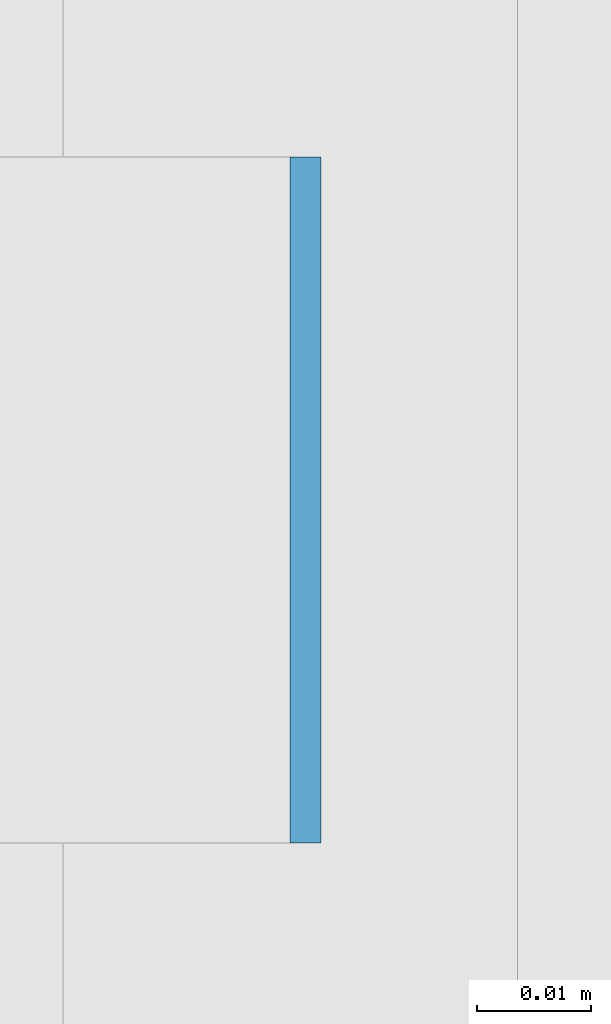
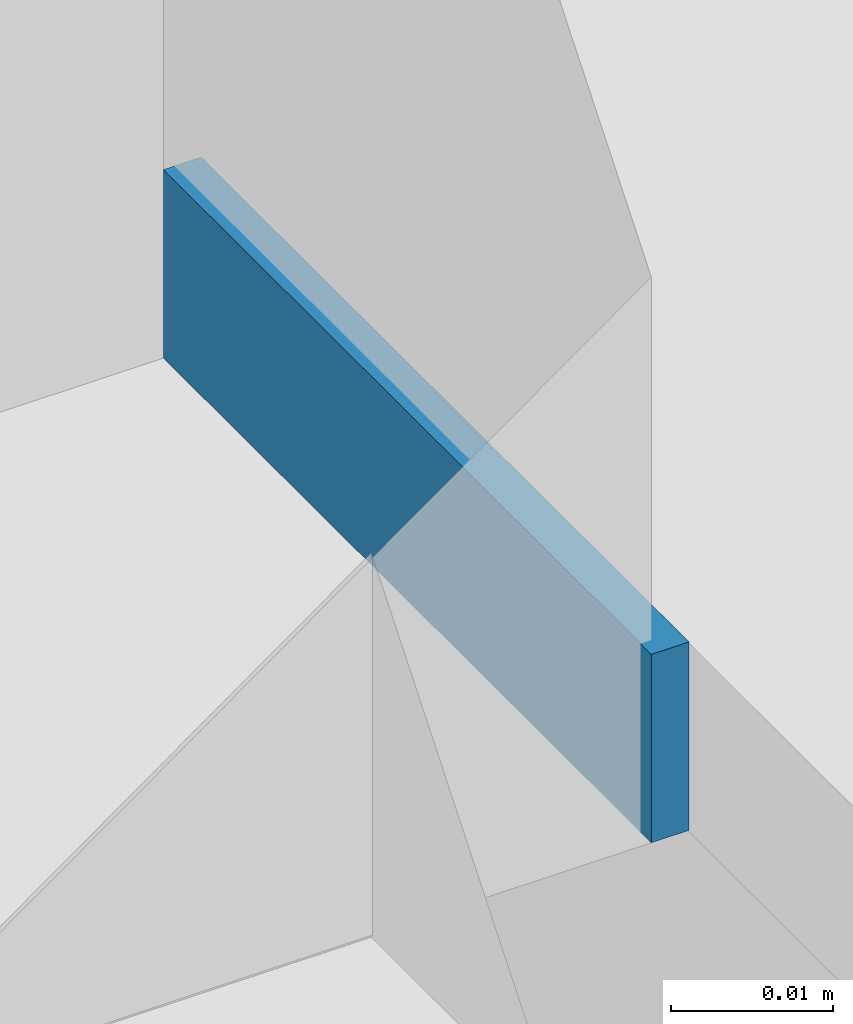
# One storey, part 314 of 646: 1 discrete accessory.
"""IFC4 building model written with IfcOpenShell, lengths in metres."""

import ifcopenshell
import ifcopenshell.guid

model = None  # the IFC model being written
_history = None  # IfcOwnerHistory: only IFC2X3 demands one
_inside = {}  # id of a spatial element -> (the spatial element, [elements in it])
_under = {}  # id of a project, library or spatial element -> (it, [spatial elements below it])
_declared = {}  # id of a project -> (the project, [libraries it declares])
_typed = {}  # id of a type object -> (the type object, [elements of that type])
_made_of = {}  # id of a material, layer set ... -> (it, [elements and type objects made of it])


def new_model(schema):
    """Start an empty IFC model of exactly this schema.

    Asked for "IFC4X3", IfcOpenShell would pick the latest addendum, in which some entities
    have other attributes; the version numbers below select the first issue.
    IFC2X3 requires an IfcOwnerHistory on every rooted entity: one is made here for all.
    """
    global model, _history
    if schema == "IFC4X3":
        model = ifcopenshell.file(schema_version=(4, 3, 0, 0))
    else:
        model = ifcopenshell.file(schema=schema)
    _inside.clear()
    _under.clear()
    _declared.clear()
    _typed.clear()
    _made_of.clear()
    _history = None
    if model.schema == "IFC2X3":
        org = make("IfcOrganization", Name="unknown")
        user = make(
            "IfcPersonAndOrganization",
            ThePerson=make("IfcPerson", FamilyName="unknown"),
            TheOrganization=org,
        )
        app = make(
            "IfcApplication",
            ApplicationDeveloper=org,
            Version="unknown",
            ApplicationFullName="unknown",
            ApplicationIdentifier="unknown",
        )
        _history = make(
            "IfcOwnerHistory",
            OwningUser=user,
            OwningApplication=app,
            ChangeAction="ADDED",
            CreationDate=0,
        )
    return model


def make(cls, **values):
    """One entity of the class cls with the attributes given. An attribute that is None is left unset."""
    return model.create_entity(
        cls, **{name: value for name, value in values.items() if value is not None}
    )


def rooted(cls, **values):
    """An entity with a GlobalId (a new one), such as an element, a storey or a relation."""
    return make(cls, GlobalId=ifcopenshell.guid.new(), OwnerHistory=_history, **values)


def si_unit(unit_type, name, prefix=None):
    """IfcSIUnit, for example si_unit("LENGTHUNIT", "METRE", prefix="MILLI")."""
    return make("IfcSIUnit", UnitType=unit_type, Prefix=prefix, Name=name)


def assignment(units):
    """IfcUnitAssignment: the units of a project."""
    return None if units is None else make("IfcUnitAssignment", Units=units)


def point(xyz):
    """IfcCartesianPoint."""
    return None if xyz is None else make("IfcCartesianPoint", Coordinates=xyz)


def direction(xyz):
    """IfcDirection."""
    return None if xyz is None else make("IfcDirection", DirectionRatios=xyz)


def frame(location, z_axis=None, x_axis=None):
    """IfcAxis2Placement3D, a coordinate frame: its origin and axes. An axis left out is left unset."""
    return make(
        "IfcAxis2Placement3D",
        Location=point(location),
        Axis=direction(z_axis),
        RefDirection=direction(x_axis),
    )


def frame_2d(location, x_axis=None):
    """IfcAxis2Placement2D, a coordinate frame in the plane: its origin and x axis."""
    return make(
        "IfcAxis2Placement2D", Location=point(location), RefDirection=direction(x_axis)
    )


def origin():
    """The frame at (0, 0, 0) with its axes left unset."""
    return frame((0.0, 0.0, 0.0))


def origin_2d():
    """The frame at (0, 0) in the plane with its x axis left unset."""
    return frame_2d((0.0, 0.0))


def place(relative_to, where):
    """IfcLocalPlacement: puts the frame where relative to a parent placement (None: the world)."""
    return make(
        "IfcLocalPlacement", PlacementRelTo=relative_to, RelativePlacement=where
    )


def context(
    kind, dimensions, precision=None, world=None, true_north=None, identifier=None
):
    """IfcGeometricRepresentationContext, for example the 3D "Model" context."""
    return make(
        "IfcGeometricRepresentationContext",
        ContextIdentifier=identifier,
        ContextType=kind,
        CoordinateSpaceDimension=dimensions,
        Precision=precision,
        WorldCoordinateSystem=world,
        TrueNorth=true_north,
    )


def subcontext(parent, identifier, kind, view, scale=None):
    """IfcGeometricRepresentationSubContext, for example "Body" below "Model"."""
    return make(
        "IfcGeometricRepresentationSubContext",
        ContextIdentifier=identifier,
        ContextType=kind,
        ParentContext=parent,
        TargetScale=scale,
        TargetView=view,
    )


def project(units=None, contexts=None):
    """IfcProject with its units and contexts."""
    return rooted(
        "IfcProject",
        Name="project",
        RepresentationContexts=contexts,
        UnitsInContext=assignment(units),
    )


def spatial(cls, under=None, at=None, **own):
    """A site, building, storey or space (cls), placed at a placement, below another one or the project."""
    s = rooted(cls, ObjectPlacement=at, **own)
    if under is not None:
        _under.setdefault(under.id(), (under, []))[1].append(s)
    return s


def profile(cls, at=None, kind="AREA", **sizes):
    """A parametric profile (cls). Its sizes go by their IFC names, for example OverallWidth=200.0."""
    return make(cls, ProfileType=kind, Position=at, **sizes)


def rectangle(**sizes):
    """IfcRectangleProfileDef."""
    return profile("IfcRectangleProfileDef", **sizes)


def extrude(swept, where, along, depth):
    """IfcExtrudedAreaSolid: the profile swept, set in the frame where, extruded along a direction by depth."""
    return make(
        "IfcExtrudedAreaSolid",
        SweptArea=swept,
        Position=where,
        ExtrudedDirection=direction(along),
        Depth=depth,
    )


def shape(context_of_items, identifier, shape_type, items):
    """IfcShapeRepresentation: the items that make up one representation, for example the "Body"."""
    return make(
        "IfcShapeRepresentation",
        ContextOfItems=context_of_items,
        RepresentationIdentifier=identifier,
        RepresentationType=shape_type,
        Items=items,
    )


def material(Name=None, Category=None):
    """IfcMaterial."""
    return make("IfcMaterial", Name=Name, Category=Category)


def made_of(thing, what):
    """Note that an element or type object is made of a material, layer set ...; save() writes the relation."""
    if what is not None:
        _made_of.setdefault(what.id(), (what, []))[1].append(thing)
    return thing


def type_object(cls, material=None, **own):
    """A type object (cls), such as IfcWallType, which elements share."""
    return made_of(rooted(cls, **own), material)


def element(
    cls,
    number,
    at=None,
    inside=None,
    cuts=None,
    type_object=None,
    material=None,
    context=None,
    identifier="Body",
    shape_type=None,
    held_by="IfcProductDefinitionShape",
    body=None,
    shapes=None,
    **own,
):
    """One element of the class cls, such as IfcWall. Its Tag is "e" and its number.

    at: its placement. inside: the storey or other place that contains it. cuts: it is an
    opening in that element (IfcRelVoidsElement). A single representation is given by context,
    identifier, shape_type and body (its items); several are given by shapes. held_by: the class
    of the entity that holds the representations. save() writes the other relations.
    """
    e = rooted(cls, Tag="e%d" % number, ObjectPlacement=at, **own)
    if body is not None:
        shapes = [shape(context, identifier, shape_type, body)]
    if shapes is not None:
        e.Representation = make(held_by, Representations=shapes)
    if inside is not None:
        _inside.setdefault(inside.id(), (inside, []))[1].append(e)
    if cuts is not None:
        rooted(
            "IfcRelVoidsElement", RelatingBuildingElement=cuts, RelatedOpeningElement=e
        )
    if type_object is not None:
        _typed.setdefault(type_object.id(), (type_object, []))[1].append(e)
    return made_of(e, material)


def aggregate(whole, parts):
    """IfcRelAggregates: a whole, such as a stair, and the parts it consists of."""
    return rooted("IfcRelAggregates", RelatingObject=whole, RelatedObjects=parts)


def save(model, path):
    """Write the relations noted so far, then the file.

    IfcRelAggregates (storeys below a building ...), IfcRelContainedInSpatialStructure (elements
    in a storey), IfcRelDefinesByType, IfcRelAssociatesMaterial and IfcRelDeclares: one each for
    every whole, place, type object, material and project.
    """
    for whole, parts in _under.values():
        aggregate(whole, parts)
    for where, things in _inside.values():
        rooted(
            "IfcRelContainedInSpatialStructure",
            RelatedElements=things,
            RelatingStructure=where,
        )
    for kind, things in _typed.values():
        rooted("IfcRelDefinesByType", RelatedObjects=things, RelatingType=kind)
    for what, things in _made_of.values():
        rooted("IfcRelAssociatesMaterial", RelatedObjects=things, RelatingMaterial=what)
    for by, libraries in _declared.values():
        rooted("IfcRelDeclares", RelatingContext=by, RelatedDefinitions=libraries)
    model.write(path)


model = new_model("IFC4")

# Units and contexts
model_context = context("Model", 3, precision=1e-05, world=origin(), true_north=direction((0.0, 1.0)))
body_context = subcontext(model_context, "Body", "Model", "MODEL_VIEW")
ifc_project = project(units=[si_unit("LENGTHUNIT", "METRE"), si_unit("AREAUNIT", "SQUARE_METRE"), si_unit("VOLUMEUNIT", "CUBIC_METRE"), si_unit("PLANEANGLEUNIT", "RADIAN"), si_unit("MASSUNIT", "GRAM", prefix="KILO")], contexts=[model_context])

# Site, building, storey
site_placement = place(None, origin())
site = spatial("IfcSite", under=ifc_project, at=site_placement, CompositionType="ELEMENT")
building_placement = place(site_placement, origin())
building = spatial("IfcBuilding", under=site, at=building_placement, Name="Silverbay Arena", CompositionType="ELEMENT")
storey_placement = place(building_placement, frame((0.0, 0.0, 33.5)))
storey = spatial("IfcBuildingStorey", under=building, at=storey_placement, Name="L05", CompositionType="ELEMENT", Elevation=33.5)

# Discrete accessory
ifc_material = material(Name="Steel S355", Category="steel")
discrete_accessory_type = type_object("IfcDiscreteAccessoryType", Name="Steel bracket plate", PredefinedType="BRACKET", material=ifc_material)
discrete_accessory_placement = place(storey_placement, frame((53.871337890625, 70.71435546875, 4.0), z_axis=(0.0, 0.0, 1.0), x_axis=(1.0, 0.0, 0.0)))
element("IfcDiscreteAccessory", 1, at=discrete_accessory_placement, inside=storey, type_object=discrete_accessory_type, Name="Curtain wall packing plate", PredefinedType="BRACKET", context=body_context, shape_type="SweptSolid", body=[
    extrude(rectangle(XDim=0.002685546875, YDim=0.06005859375, at=origin_2d()), origin(), (0.0, 0.0, 1.0), 0.01416015625),
])

save(model, "model.ifc")
